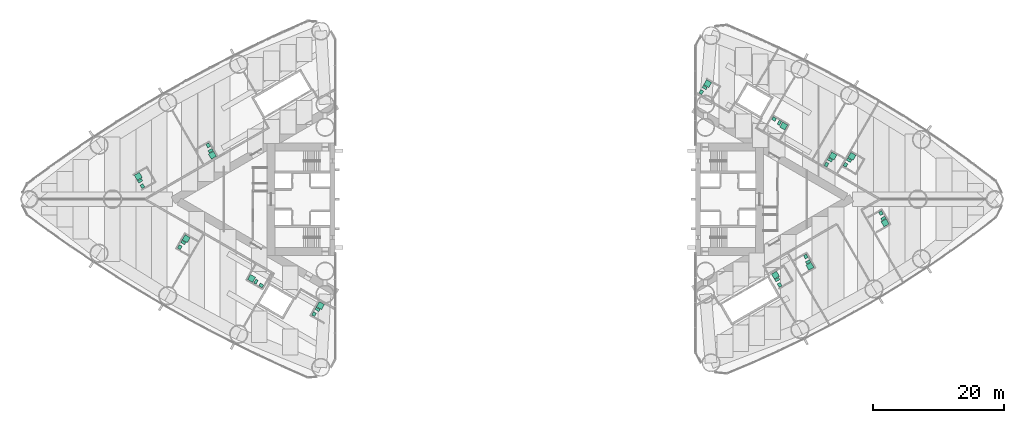
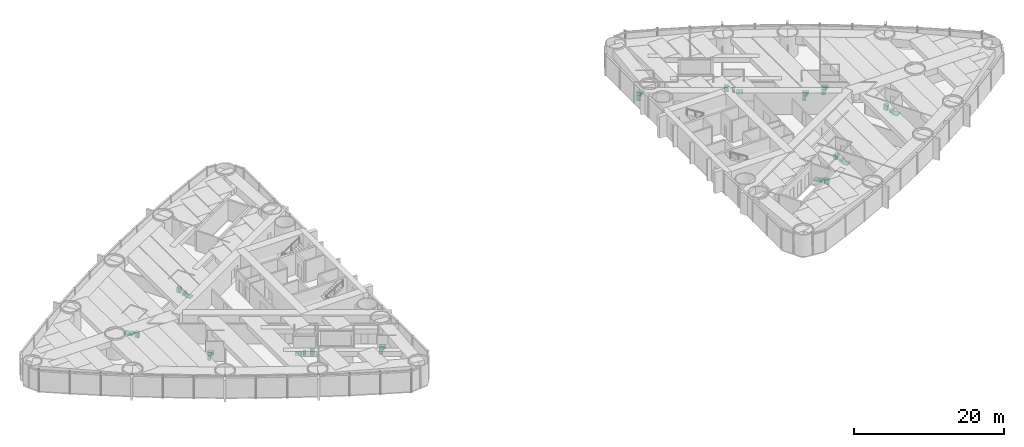
# One storey, part 19 of 19: 16 sanitary terminals.
"""IFC4 building model written with IfcOpenShell, lengths in metres."""

from ifc_helpers import new_model, si_unit, direction, frame, origin, origin_2d, place, context, subcontext, project, spatial, rectangle, extrude, material, type_object, element, save


model = new_model("IFC4")

# Units and contexts
model_context = context("Model", 3, precision=1e-05, world=origin(), true_north=direction((0.0, 1.0)))
body_context = subcontext(model_context, "Body", "Model", "MODEL_VIEW")
ifc_project = project(units=[si_unit("LENGTHUNIT", "METRE"), si_unit("AREAUNIT", "SQUARE_METRE"), si_unit("VOLUMEUNIT", "CUBIC_METRE"), si_unit("PLANEANGLEUNIT", "RADIAN"), si_unit("MASSUNIT", "GRAM", prefix="KILO")], contexts=[model_context])

# Site, building, storey
site_placement = place(None, origin())
site = spatial("IfcSite", under=ifc_project, at=site_placement, CompositionType="ELEMENT")
building_placement = place(site_placement, origin())
building = spatial("IfcBuilding", under=site, at=building_placement, Name="Lancet Gate Hotel", CompositionType="ELEMENT")
storey_placement = place(building_placement, frame((0.0, 0.0, 60.0)))
storey = spatial("IfcBuildingStorey", under=building, at=storey_placement, Name="L15", CompositionType="ELEMENT", Elevation=60.0)

# Sanitary terminals
ifc_material_1 = material(Name="Vitreous china sanitary ware")
sanitary_terminal_type_1 = type_object("IfcSanitaryTerminalType", Name="En-suite sanitary set (shower, WC, basin)", PredefinedType="USERDEFINED", material=ifc_material_1)
sanitary_terminal_1_placement = place(storey_placement, frame((-57.579833984375, 3.4921875, 0.0), z_axis=(0.0, 0.0, 1.0), x_axis=(1.0, 0.0, 0.0)))
element("IfcSanitaryTerminal", 1, at=sanitary_terminal_1_placement, inside=storey, type_object=sanitary_terminal_type_1, Name="En-suite sanitary set (shower, WC, basin) 1503", ObjectType="EN-SUITE SANITARY SET", PredefinedType="USERDEFINED", context=body_context, shape_type="SweptSolid", body=[
    extrude(rectangle(XDim=0.89990234375, YDim=0.89990234375, at=origin_2d()), frame((0.0, 0.0, 0.0), z_axis=(0.0, 0.0, 1.0), x_axis=(-0.5, 0.866025403784, 0.0)), (0.0, 0.0, 1.0), 0.050048828125),
    extrude(rectangle(XDim=0.39990234375, YDim=0.699951171875, at=origin_2d()), frame((0.2783203125, -0.682373046875, 0.0), z_axis=(0.0, 0.0, 1.0), x_axis=(-0.5, 0.866025403784, 0.0)), (0.0, 0.0, 1.0), 0.39990234375),
    extrude(rectangle(XDim=0.60009765625, YDim=0.5, at=origin_2d()), frame((0.6318359375, -1.494384765625, 0.0), z_axis=(0.0, 0.0, 1.0), x_axis=(-0.5, 0.866025403784, 0.0)), (0.0, 0.0, 1.0), 0.85009765625),
])
sanitary_terminal_2_placement = place(storey_placement, frame((-50.26171875, -6.031494140625, 0.0), z_axis=(0.0, 0.0, 1.0), x_axis=(1.0, 0.0, 0.0)))
element("IfcSanitaryTerminal", 2, at=sanitary_terminal_2_placement, inside=storey, type_object=sanitary_terminal_type_1, Name="En-suite sanitary set (shower, WC, basin) 1505", ObjectType="EN-SUITE SANITARY SET", PredefinedType="USERDEFINED", context=body_context, shape_type="SweptSolid", body=[
    extrude(rectangle(XDim=0.89990234375, YDim=0.89990234375, at=origin_2d()), frame((0.0, 0.0, 0.0), z_axis=(0.0, 0.0, 1.0), x_axis=(0.5, 0.866025403784, 0.0)), (0.0, 0.0, 1.0), 0.050048828125),
    extrude(rectangle(XDim=0.39990234375, YDim=0.699951171875, at=origin_2d()), frame((-0.451416015625, -0.58203125, 0.0), z_axis=(0.0, 0.0, 1.0), x_axis=(0.5, 0.866025403784, 0.0)), (0.0, 0.0, 1.0), 0.39990234375),
    extrude(rectangle(XDim=0.60009765625, YDim=0.5, at=origin_2d()), frame((-0.97802734375, -1.294189453125, 0.0), z_axis=(0.0, 0.0, 1.0), x_axis=(0.5, 0.866025403784, 0.0)), (0.0, 0.0, 1.0), 0.85009765625),
])
sanitary_terminal_3_placement = place(storey_placement, frame((-46.261962890625, 6.72412109375, 0.0), z_axis=(0.0, 0.0, 1.0), x_axis=(1.0, 0.0, 0.0)))
element("IfcSanitaryTerminal", 3, at=sanitary_terminal_3_placement, inside=storey, type_object=sanitary_terminal_type_1, Name="En-suite sanitary set (shower, WC, basin) 1502", ObjectType="EN-SUITE SANITARY SET", PredefinedType="USERDEFINED", context=body_context, shape_type="SweptSolid", body=[
    extrude(rectangle(XDim=0.89990234375, YDim=0.89990234375, at=origin_2d()), frame((0.0, 0.0, 0.0), z_axis=(0.0, 0.0, 1.0), x_axis=(0.5, -0.866025403784, 0.0)), (0.0, 0.0, 1.0), 0.050048828125),
    extrude(rectangle(XDim=0.39990234375, YDim=0.699951171875, at=origin_2d()), frame((-0.2783203125, 0.68212890625, 0.0), z_axis=(0.0, 0.0, 1.0), x_axis=(0.5, -0.866025403784, 0.0)), (0.0, 0.0, 1.0), 0.39990234375),
    extrude(rectangle(XDim=0.60009765625, YDim=0.5, at=origin_2d()), frame((-0.6318359375, 1.494140625, 0.0), z_axis=(0.0, 0.0, 1.0), x_axis=(0.5, -0.866025403784, 0.0)), (0.0, 0.0, 1.0), 0.85009765625),
])
sanitary_terminal_4_placement = place(storey_placement, frame((-29.751708984375, -16.256103515625, 0.0), z_axis=(0.0, 0.0, 1.0), x_axis=(1.0, 0.0, 0.0)))
element("IfcSanitaryTerminal", 4, at=sanitary_terminal_4_placement, inside=storey, type_object=sanitary_terminal_type_1, Name="En-suite sanitary set (shower, WC, basin) 1508", ObjectType="EN-SUITE SANITARY SET", PredefinedType="USERDEFINED", context=body_context, shape_type="SweptSolid", body=[
    extrude(rectangle(XDim=0.89990234375, YDim=0.89990234375, at=origin_2d()), frame((0.0, 0.0, 0.0), z_axis=(0.0, 0.0, 1.0), x_axis=(0.5, 0.866025403784, 0.0)), (0.0, 0.0, 1.0), 0.050048828125),
    extrude(rectangle(XDim=0.39990234375, YDim=0.699951171875, at=origin_2d()), frame((-0.45166015625, -0.582275390625, 0.0), z_axis=(0.0, 0.0, 1.0), x_axis=(0.5, 0.866025403784, 0.0)), (0.0, 0.0, 1.0), 0.39990234375),
    extrude(rectangle(XDim=0.60009765625, YDim=0.5, at=origin_2d()), frame((-0.978271484375, -1.29443359375, 0.0), z_axis=(0.0, 0.0, 1.0), x_axis=(0.5, 0.866025403784, 0.0)), (0.0, 0.0, 1.0), 0.85009765625),
])
sanitary_terminal_5_placement = place(storey_placement, frame((45.01220703125, -10.248046875, 0.0), z_axis=(0.0, 0.0, 1.0), x_axis=(1.0, 0.0, 0.0)))
element("IfcSanitaryTerminal", 5, at=sanitary_terminal_5_placement, inside=storey, type_object=sanitary_terminal_type_1, Name="En-suite sanitary set (shower, WC, basin) 1554", ObjectType="EN-SUITE SANITARY SET", PredefinedType="USERDEFINED", context=body_context, shape_type="SweptSolid", body=[
    extrude(rectangle(XDim=0.89990234375, YDim=0.89990234375, at=origin_2d()), frame((0.0, 0.0, 0.0), z_axis=(0.0, 0.0, 1.0), x_axis=(0.5, -0.866025403784, 0.0)), (0.0, 0.0, 1.0), 0.050048828125),
    extrude(rectangle(XDim=0.39990234375, YDim=0.699951171875, at=origin_2d()), frame((-0.278564453125, 0.68212890625, 0.0), z_axis=(0.0, 0.0, 1.0), x_axis=(0.5, -0.866025403784, 0.0)), (0.0, 0.0, 1.0), 0.39990234375),
    extrude(rectangle(XDim=0.60009765625, YDim=0.5, at=origin_2d()), frame((-0.6318359375, 1.494384765625, 0.0), z_axis=(0.0, 0.0, 1.0), x_axis=(0.5, -0.866025403784, 0.0)), (0.0, 0.0, 1.0), 0.85009765625),
])
sanitary_terminal_6_placement = place(storey_placement, frame((56.49609375, -3.617919921875, 0.0), z_axis=(0.0, 0.0, 1.0), x_axis=(1.0, 0.0, 0.0)))
element("IfcSanitaryTerminal", 6, at=sanitary_terminal_6_placement, inside=storey, type_object=sanitary_terminal_type_1, Name="En-suite sanitary set (shower, WC, basin) 1557", ObjectType="EN-SUITE SANITARY SET", PredefinedType="USERDEFINED", context=body_context, shape_type="SweptSolid", body=[
    extrude(rectangle(XDim=0.89990234375, YDim=0.89990234375, at=origin_2d()), frame((0.0, 0.0, 0.0), z_axis=(0.0, 0.0, 1.0), x_axis=(0.5, -0.866025403784, 0.0)), (0.0, 0.0, 1.0), 0.050048828125),
    extrude(rectangle(XDim=0.39990234375, YDim=0.699951171875, at=origin_2d()), frame((-0.278564453125, 0.682373046875, 0.0), z_axis=(0.0, 0.0, 1.0), x_axis=(0.5, -0.866025403784, 0.0)), (0.0, 0.0, 1.0), 0.39990234375),
    extrude(rectangle(XDim=0.60009765625, YDim=0.5, at=origin_2d()), frame((-0.6318359375, 1.494384765625, 0.0), z_axis=(0.0, 0.0, 1.0), x_axis=(0.5, -0.866025403784, 0.0)), (0.0, 0.0, 1.0), 0.85009765625),
])
sanitary_terminal_7_placement = place(storey_placement, frame((51.43310546875, 6.541015625, 0.0), z_axis=(0.0, 0.0, 1.0), x_axis=(1.0, 0.0, 0.0)))
element("IfcSanitaryTerminal", 7, at=sanitary_terminal_7_placement, inside=storey, type_object=sanitary_terminal_type_1, Name="En-suite sanitary set (shower, WC, basin) 1558", ObjectType="EN-SUITE SANITARY SET", PredefinedType="USERDEFINED", context=body_context, shape_type="SweptSolid", body=[
    extrude(rectangle(XDim=0.89990234375, YDim=0.89990234375, at=origin_2d()), frame((0.0, 0.0, 0.0), z_axis=(0.0, 0.0, 1.0), x_axis=(0.5, 0.866025403784, 0.0)), (0.0, 0.0, 1.0), 0.050048828125),
    extrude(rectangle(XDim=0.39990234375, YDim=0.699951171875, at=origin_2d()), frame((-0.45166015625, -0.582275390625, 0.0), z_axis=(0.0, 0.0, 1.0), x_axis=(0.5, 0.866025403784, 0.0)), (0.0, 0.0, 1.0), 0.39990234375),
    extrude(rectangle(XDim=0.60009765625, YDim=0.5, at=origin_2d()), frame((-0.978271484375, -1.29443359375, 0.0), z_axis=(0.0, 0.0, 1.0), x_axis=(0.5, 0.866025403784, 0.0)), (0.0, 0.0, 1.0), 0.85009765625),
])
sanitary_terminal_8_placement = place(storey_placement, frame((48.52490234375, 6.603515625, 0.0), z_axis=(0.0, 0.0, 1.0), x_axis=(1.0, 0.0, 0.0)))
element("IfcSanitaryTerminal", 8, at=sanitary_terminal_8_placement, inside=storey, type_object=sanitary_terminal_type_1, Name="En-suite sanitary set (shower, WC, basin) 1560", ObjectType="EN-SUITE SANITARY SET", PredefinedType="USERDEFINED", context=body_context, shape_type="SweptSolid", body=[
    extrude(rectangle(XDim=0.89990234375, YDim=0.89990234375, at=origin_2d()), frame((0.0, 0.0, 0.0), z_axis=(0.0, 0.0, 1.0), x_axis=(0.5, 0.866025403784, 0.0)), (0.0, 0.0, 1.0), 0.050048828125),
    extrude(rectangle(XDim=0.39990234375, YDim=0.699951171875, at=origin_2d()), frame((-0.451904296875, -0.582275390625, 0.0), z_axis=(0.0, 0.0, 1.0), x_axis=(0.5, 0.866025403784, 0.0)), (0.0, 0.0, 1.0), 0.39990234375),
    extrude(rectangle(XDim=0.60009765625, YDim=0.5, at=origin_2d()), frame((-0.978515625, -1.29443359375, 0.0), z_axis=(0.0, 0.0, 1.0), x_axis=(0.5, 0.866025403784, 0.0)), (0.0, 0.0, 1.0), 0.85009765625),
])
sanitary_terminal_9_placement = place(storey_placement, frame((39.74853515625, -11.60107421875, 0.0), z_axis=(0.0, 0.0, 1.0), x_axis=(1.0, 0.0, 0.0)))
element("IfcSanitaryTerminal", 9, at=sanitary_terminal_9_placement, inside=storey, type_object=sanitary_terminal_type_1, Name="En-suite sanitary set (shower, WC, basin) 1553", ObjectType="EN-SUITE SANITARY SET", PredefinedType="USERDEFINED", context=body_context, shape_type="SweptSolid", body=[
    extrude(rectangle(XDim=0.89990234375, YDim=0.89990234375, at=origin_2d()), frame((0.0, 0.0, 0.0), z_axis=(0.0, 0.0, 1.0), x_axis=(-0.5, 0.866025403784, 0.0)), (0.0, 0.0, 1.0), 0.050048828125),
    extrude(rectangle(XDim=0.39990234375, YDim=0.699951171875, at=origin_2d()), frame((0.2783203125, -0.68212890625, 0.0), z_axis=(0.0, 0.0, 1.0), x_axis=(-0.5, 0.866025403784, 0.0)), (0.0, 0.0, 1.0), 0.39990234375),
    extrude(rectangle(XDim=0.60009765625, YDim=0.5, at=origin_2d()), frame((0.6318359375, -1.494384765625, 0.0), z_axis=(0.0, 0.0, 1.0), x_axis=(-0.5, 0.866025403784, 0.0)), (0.0, 0.0, 1.0), 0.85009765625),
])
sanitary_terminal_10_placement = place(storey_placement, frame((29.390380859375, 17.650634765625, 0.0), z_axis=(0.0, 0.0, 1.0), x_axis=(1.0, 0.0, 0.0)))
element("IfcSanitaryTerminal", 10, at=sanitary_terminal_10_placement, inside=storey, type_object=sanitary_terminal_type_1, Name="En-suite sanitary set (shower, WC, basin) 1564", ObjectType="EN-SUITE SANITARY SET", PredefinedType="USERDEFINED", context=body_context, shape_type="SweptSolid", body=[
    extrude(rectangle(XDim=0.89990234375, YDim=0.89990234375, at=origin_2d()), frame((0.0, 0.0, 0.0), z_axis=(0.0, 0.0, 1.0), x_axis=(0.5, 0.866025403784, 0.0)), (0.0, 0.0, 1.0), 0.050048828125),
    extrude(rectangle(XDim=0.39990234375, YDim=0.699951171875, at=origin_2d()), frame((-0.451416015625, -0.582275390625, 0.0), z_axis=(0.0, 0.0, 1.0), x_axis=(0.5, 0.866025403784, 0.0)), (0.0, 0.0, 1.0), 0.39990234375),
    extrude(rectangle(XDim=0.60009765625, YDim=0.5, at=origin_2d()), frame((-0.97802734375, -1.29443359375, 0.0), z_axis=(0.0, 0.0, 1.0), x_axis=(0.5, 0.866025403784, 0.0)), (0.0, 0.0, 1.0), 0.85009765625),
])
ifc_material_2 = material(Name="Stone resin shower tray", Category="masonry")
sanitary_terminal_type_2 = type_object("IfcSanitaryTerminalType", Name="Shower tray 900", PredefinedType="SHOWER", material=ifc_material_2)
for number, where, z_axis, x_axis, name in (
    (11, (-40.2763671875, -12.0966796875, 0.0), (0.0, 0.0, 1.0), (-0.866025403784, 0.5, 0.0), "Shower tray 900 1507"),
    (12, (41.00634765625, 11.175048828125, 0.0), (0.0, 0.0, 1.0), (0.866025403784, -0.5, 0.0), "Shower tray 900 1561"),
):
    element("IfcSanitaryTerminal", number, at=place(storey_placement, frame(where, z_axis=z_axis, x_axis=x_axis)), inside=storey, type_object=sanitary_terminal_type_2, Name=name, PredefinedType="SHOWER", context=body_context, shape_type="SweptSolid", body=[
        extrude(rectangle(XDim=0.89990234375, YDim=0.89990234375, at=origin_2d()), origin(), (0.0, 0.0, 1.0), 0.050048828125),
    ])
ifc_material_3 = material(Name="Vitreous china sanitary ware")
sanitary_terminal_type_3 = type_object("IfcSanitaryTerminalType", Name="Vanity basin 600", PredefinedType="WASHHANDBASIN", material=ifc_material_3)
for number, where, z_axis, x_axis, name in (
    (13, (-38.808837890625, -13.1748046875, 0.0), (0.0, 0.0, 1.0), (-0.866025403784, 0.5, 0.0), "Vanity basin 600 1507"),
    (14, (39.538818359375, 12.25341796875, 0.0), (0.0, 0.0, 1.0), (0.866025403784, -0.5, 0.0), "Vanity basin 600 1561"),
):
    element("IfcSanitaryTerminal", number, at=place(storey_placement, frame(where, z_axis=z_axis, x_axis=x_axis)), inside=storey, type_object=sanitary_terminal_type_3, Name=name, PredefinedType="WASHHANDBASIN", context=body_context, shape_type="SweptSolid", body=[
        extrude(rectangle(XDim=0.60009765625, YDim=0.5, at=origin_2d()), origin(), (0.0, 0.0, 1.0), 0.85009765625),
    ])
ifc_material_4 = material(Name="Vitreous china sanitary ware")
sanitary_terminal_type_4 = type_object("IfcSanitaryTerminalType", Name="WC pan wall hung", PredefinedType="TOILETPAN", material=ifc_material_4)
for number, where, z_axis, x_axis, name in (
    (15, (-39.607421875, -12.59814453125, 0.0), (0.0, 0.0, 1.0), (-0.866025403784, 0.5, 0.0), "WC pan wall hung 1507"),
    (16, (40.337646484375, 11.6767578125, 0.0), (0.0, 0.0, 1.0), (0.866025403784, -0.5, 0.0), "WC pan wall hung 1561"),
):
    element("IfcSanitaryTerminal", number, at=place(storey_placement, frame(where, z_axis=z_axis, x_axis=x_axis)), inside=storey, type_object=sanitary_terminal_type_4, Name=name, PredefinedType="TOILETPAN", context=body_context, shape_type="SweptSolid", body=[
        extrude(rectangle(XDim=0.39990234375, YDim=0.699951171875, at=origin_2d()), origin(), (0.0, 0.0, 1.0), 0.39990234375),
    ])

save(model, "model.ifc")
